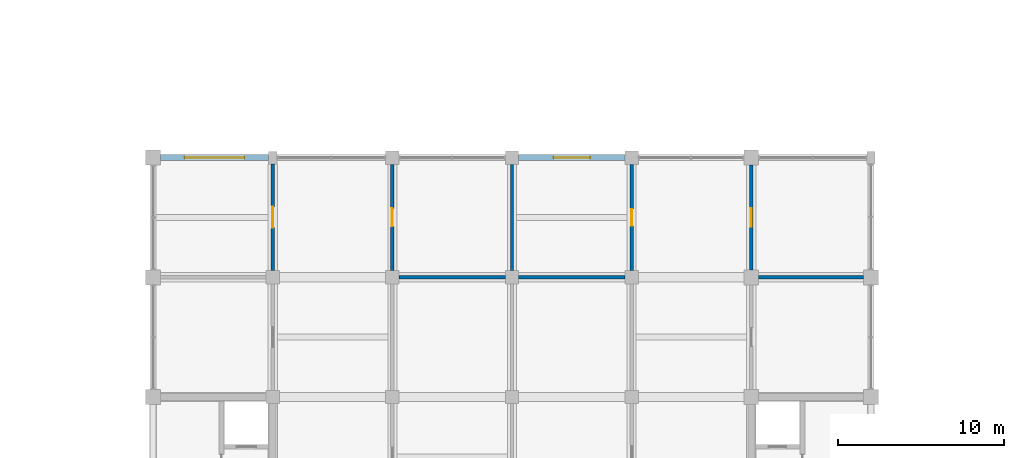
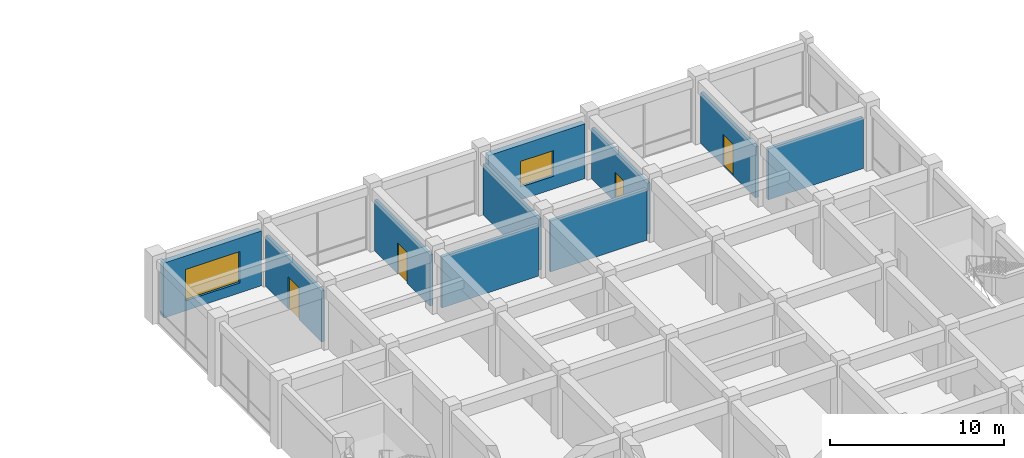
# One storey, part 62 of 75: 10 walls, 4 doors, 2 windows, 6 openings.
"""IFC4 building model written with IfcOpenShell, lengths in metres."""

from ifc_helpers import new_model, si_unit, direction, frame, frame_2d, origin, place, context, subcontext, project, spatial, rectangle, extrude, material, layer, layer_set, type_object, element, fill, save


model = new_model("IFC4")

# Units and contexts
model_context = context("Model", 3, precision=1e-05, world=origin(), true_north=direction((0.0, 1.0)))
body_context = subcontext(model_context, "Body", "Model", "MODEL_VIEW")
ifc_project = project(units=[si_unit("LENGTHUNIT", "METRE"), si_unit("AREAUNIT", "SQUARE_METRE"), si_unit("VOLUMEUNIT", "CUBIC_METRE"), si_unit("PLANEANGLEUNIT", "RADIAN"), si_unit("MASSUNIT", "GRAM", prefix="KILO")], contexts=[model_context])

# Site, building, storey
site_placement = place(None, origin())
site = spatial("IfcSite", under=ifc_project, at=site_placement, CompositionType="ELEMENT")
building_placement = place(site_placement, origin())
building = spatial("IfcBuilding", under=site, at=building_placement, Name="Cendaluz Park School", CompositionType="ELEMENT")
storey_placement = place(building_placement, frame((0.0, 0.0, 4.800048828125)))
storey = spatial("IfcBuildingStorey", under=building, at=storey_placement, Name="L01", CompositionType="ELEMENT", Elevation=4.800048828125)

# Wall, opening, door
ifc_material_1 = material(Name="Gypsum Plasterboard on Cold-Formed Stud", Category="gypsum")
ifc_layer_1 = layer(ifc_material_1, 0.199951171875)
ifc_layer_set_1 = layer_set([ifc_layer_1], Name="Gypsum Plasterboard on Cold-Formed Stud")
wall_type_1 = type_object("IfcWallType", Name="W-AC20", PredefinedType="PARTITIONING", material=ifc_layer_set_1)
wall_1_placement = place(storey_placement, frame((72.0, 65.199951171875, 0.0), z_axis=(0.0, 0.0, 1.0), x_axis=(0.0, 1.0, 0.0)))
wall_1 = element("IfcWall", 1, at=wall_1_placement, inside=storey, type_object=wall_type_1, Name="WL-FB-BV5", PredefinedType="PARTITIONING", context=body_context, shape_type="SweptSolid", body=[
    extrude(rectangle(XDim=6.425048828125, YDim=0.199951171875, at=frame_2d((3.21240234375, 0.0))), origin(), (0.0, 0.0, 1.0), 3.579833984375),
])
opening_1_placement = place(wall_1_placement, frame((2.592529296875, 0.0, 0.0)))
opening_1 = element("IfcOpeningElement", 2, at=opening_1_placement, cuts=wall_1, Name="Opening DCL-09", PredefinedType="OPENING", context=body_context, shape_type="SweptSolid", body=[
    extrude(rectangle(XDim=1.239990234375, YDim=2.260009765625, at=frame_2d((0.6201171875, 1.1298828125))), frame((0.0, 0.112060546875, 0.0), z_axis=(0.0, -1.0, 0.0), x_axis=(1.0, 0.0, 0.0)), (0.0, 0.0, 1.0), 0.223876953125),
])
ifc_material_2 = material(Name="Solid Core Hardwood", Category="wood")
door_type_1 = type_object("IfcDoorType", Name="DCL-09", OperationType="NOTDEFINED", PredefinedType="DOOR", material=ifc_material_2)
door_1_placement = place(opening_1_placement, origin())
door_1 = element("IfcDoor", 3, at=door_1_placement, inside=storey, type_object=door_type_1, Name="D-L01-061", OperationType="SINGLE_SWING_LEFT", OverallHeight=2.260009765625, OverallWidth=1.239990234375, PredefinedType="DOOR", context=body_context, shape_type="SweptSolid", body=[
    extrude(rectangle(XDim=1.239990234375, YDim=2.260009765625, at=frame_2d((0.6201171875, 1.1298828125))), frame((0.0, 0.02490234375, 0.0), z_axis=(0.0, -1.0, 0.0), x_axis=(1.0, 0.0, 0.0)), (0.0, 0.0, 1.0), 0.050048828125),
])
fill(opening_1, door_1)

# Wall
wall_2_placement = place(storey_placement, frame((79.60009765625, 64.800048828125, 0.0), z_axis=(0.0, 0.0, 1.0), x_axis=(1.0, 0.0, 0.0)))
element("IfcWall", 4, at=wall_2_placement, inside=storey, type_object=wall_type_1, Name="WL-FB-BX5", PredefinedType="PARTITIONING", context=body_context, shape_type="SweptSolid", body=[
    extrude(rectangle(XDim=6.39990234375, YDim=0.199951171875, at=frame_2d((3.199951171875, 0.0))), origin(), (0.0, 0.0, 1.0), 3.579833984375),
])

# Wall, opening, door
wall_3_placement = place(storey_placement, frame((79.199951171875, 65.199951171875, 0.0), z_axis=(0.0, 0.0, 1.0), x_axis=(0.0, 1.0, 0.0)))
wall_3 = element("IfcWall", 5, at=wall_3_placement, inside=storey, type_object=wall_type_1, Name="WL-FB-BX8", PredefinedType="PARTITIONING", context=body_context, shape_type="SweptSolid", body=[
    extrude(rectangle(XDim=6.400146484375, YDim=0.199951171875, at=frame_2d((3.2001953125, 0.0))), origin(), (0.0, 0.0, 1.0), 3.579833984375),
])
opening_2_placement = place(wall_3_placement, frame((2.659912109375, 0.0, 0.0)))
opening_2 = element("IfcOpeningElement", 6, at=opening_2_placement, cuts=wall_3, Name="Opening DCL-05", PredefinedType="OPENING", context=body_context, shape_type="SweptSolid", body=[
    extrude(rectangle(XDim=1.080078125, YDim=2.179931640625, at=frame_2d((0.5400390625, 1.08984375))), frame((0.0, 0.112060546875, 0.0), z_axis=(0.0, -1.0, 0.0), x_axis=(1.0, 0.0, 0.0)), (0.0, 0.0, 1.0), 0.223876953125),
])
door_type_2 = type_object("IfcDoorType", Name="DCL-05", OperationType="NOTDEFINED", PredefinedType="DOOR", material=ifc_material_2)
door_2_placement = place(opening_2_placement, frame((1.080078125, 0.0, 0.0), z_axis=(0.0, 0.0, 1.0), x_axis=(-1.0, 0.0, 0.0)))
door_2 = element("IfcDoor", 7, at=door_2_placement, inside=storey, type_object=door_type_2, Name="D-L01-067", OperationType="SINGLE_SWING_LEFT", OverallHeight=2.179931640625, OverallWidth=1.080078125, PredefinedType="DOOR", context=body_context, shape_type="SweptSolid", body=[
    extrude(rectangle(XDim=1.080078125, YDim=2.179931640625, at=frame_2d((0.5400390625, 1.08984375))), frame((0.0, 0.02490234375, 0.0), z_axis=(0.0, -1.0, 0.0), x_axis=(1.0, 0.0, 0.0)), (0.0, 0.0, 1.0), 0.050048828125),
])
fill(opening_2, door_2)

# Walls
wall_4_placement = place(storey_placement, frame((86.39990234375, 65.199951171875, 0.0), z_axis=(0.0, 0.0, 1.0), x_axis=(0.0, 1.0, 0.0)))
element("IfcWall", 8, at=wall_4_placement, inside=storey, type_object=wall_type_1, Name="WL-FB-BX9", PredefinedType="PARTITIONING", context=body_context, shape_type="SweptSolid", body=[
    extrude(rectangle(XDim=6.400146484375, YDim=0.199951171875, at=frame_2d((3.2001953125, 0.0))), origin(), (0.0, 0.0, 1.0), 3.579833984375),
])
wall_5_placement = place(storey_placement, frame((86.800048828125, 64.800048828125, 0.0), z_axis=(0.0, 0.0, 1.0), x_axis=(1.0, 0.0, 0.0)))
element("IfcWall", 9, at=wall_5_placement, inside=storey, type_object=wall_type_1, Name="WL-FB-BZ3", PredefinedType="PARTITIONING", context=body_context, shape_type="SweptSolid", body=[
    extrude(rectangle(XDim=6.39990234375, YDim=0.199951171875, at=frame_2d((3.199951171875, 0.0))), origin(), (0.0, 0.0, 1.0), 3.579833984375),
])

# Wall, opening, door
wall_6_placement = place(storey_placement, frame((93.60009765625, 65.199951171875, 0.0), z_axis=(0.0, 0.0, 1.0), x_axis=(0.0, 1.0, 0.0)))
wall_6 = element("IfcWall", 10, at=wall_6_placement, inside=storey, type_object=wall_type_1, Name="WL-FB-BZ5", PredefinedType="PARTITIONING", context=body_context, shape_type="SweptSolid", body=[
    extrude(rectangle(XDim=6.400146484375, YDim=0.199951171875, at=frame_2d((3.2001953125, 0.0))), origin(), (0.0, 0.0, 1.0), 3.579833984375),
])
opening_3_placement = place(wall_6_placement, frame((2.699951171875, 0.0, 0.0)))
opening_3 = element("IfcOpeningElement", 11, at=opening_3_placement, cuts=wall_6, Name="Opening DCL-01", PredefinedType="OPENING", context=body_context, shape_type="SweptSolid", body=[
    extrude(rectangle(XDim=1.0, YDim=2.10009765625, at=frame_2d((0.5, 1.050048828125))), frame((0.0, 0.112060546875, 0.0), z_axis=(0.0, -1.0, 0.0), x_axis=(1.0, 0.0, 0.0)), (0.0, 0.0, 1.0), 0.223876953125),
])
door_type_3 = type_object("IfcDoorType", Name="DCL-01", OperationType="NOTDEFINED", PredefinedType="DOOR", material=ifc_material_2)
door_3_placement = place(opening_3_placement, origin())
door_3 = element("IfcDoor", 12, at=door_3_placement, inside=storey, type_object=door_type_3, Name="D-L01-073", OperationType="SINGLE_SWING_LEFT", OverallHeight=2.10009765625, OverallWidth=1.0, PredefinedType="DOOR", context=body_context, shape_type="SweptSolid", body=[
    extrude(rectangle(XDim=1.0, YDim=2.10009765625, at=frame_2d((0.5, 1.050048828125))), frame((0.0, 0.02490234375, 0.0), z_axis=(0.0, -1.0, 0.0), x_axis=(1.0, 0.0, 0.0)), (0.0, 0.0, 1.0), 0.050048828125),
])
fill(opening_3, door_3)

# Wall
wall_7_placement = place(storey_placement, frame((101.25, 64.800048828125, 0.0), z_axis=(0.0, 0.0, 1.0), x_axis=(1.0, 0.0, 0.0)))
element("IfcWall", 13, at=wall_7_placement, inside=storey, type_object=wall_type_1, Name="WL-FB-CA1", PredefinedType="PARTITIONING", context=body_context, shape_type="SweptSolid", body=[
    extrude(rectangle(XDim=6.300048828125, YDim=0.199951171875, at=frame_2d((3.14990234375, 0.0))), origin(), (0.0, 0.0, 1.0), 3.579833984375),
])

# Wall, opening, door
wall_8_placement = place(storey_placement, frame((100.800048828125, 65.25, 0.0), z_axis=(0.0, 0.0, 1.0), x_axis=(0.0, 1.0, 0.0)))
wall_8 = element("IfcWall", 14, at=wall_8_placement, inside=storey, type_object=wall_type_1, Name="WL-FB-CA3", PredefinedType="PARTITIONING", context=body_context, shape_type="SweptSolid", body=[
    extrude(rectangle(XDim=6.300048828125, YDim=0.199951171875, at=frame_2d((3.14990234375, 0.0))), origin(), (0.0, 0.0, 1.0), 3.579833984375),
])
opening_4_placement = place(wall_8_placement, frame((2.590087890625, 0.0, 0.0)))
opening_4 = element("IfcOpeningElement", 15, at=opening_4_placement, cuts=wall_8, Name="Opening DCL-06", PredefinedType="OPENING", context=body_context, shape_type="SweptSolid", body=[
    extrude(rectangle(XDim=1.1201171875, YDim=2.199951171875, at=frame_2d((0.56005859375, 1.10009765625))), frame((0.0, 0.112060546875, 0.0), z_axis=(0.0, -1.0, 0.0), x_axis=(1.0, 0.0, 0.0)), (0.0, 0.0, 1.0), 0.223876953125),
])
door_type_4 = type_object("IfcDoorType", Name="DCL-06", OperationType="NOTDEFINED", PredefinedType="DOOR", material=ifc_material_2)
door_4_placement = place(opening_4_placement, frame((1.1201171875, 0.0, 0.0), z_axis=(0.0, 0.0, 1.0), x_axis=(-1.0, 0.0, 0.0)))
door_4 = element("IfcDoor", 16, at=door_4_placement, inside=storey, type_object=door_type_4, Name="D-L01-078", OperationType="SINGLE_SWING_RIGHT", OverallHeight=2.199951171875, OverallWidth=1.1201171875, PredefinedType="DOOR", context=body_context, shape_type="SweptSolid", body=[
    extrude(rectangle(XDim=1.1201171875, YDim=2.199951171875, at=frame_2d((0.56005859375, 1.10009765625))), frame((0.0, 0.02490234375, 0.0), z_axis=(0.0, -1.0, 0.0), x_axis=(1.0, 0.0, 0.0)), (0.0, 0.0, 1.0), 0.050048828125),
])
fill(opening_4, door_4)

# Wall, opening, window
ifc_material_3 = material(Name="Concrete C40/50 precast", Category="concrete")
ifc_layer_2 = layer(ifc_material_3, 0.360107421875)
ifc_layer_set_2 = layer_set([ifc_layer_2], Name="Concrete C40/50 precast")
wall_type_2 = type_object("IfcWallType", Name="W-EX36", PredefinedType="SOLIDWALL", material=ifc_layer_set_2)
wall_9_placement = place(storey_placement, frame((65.25, 72.0, 0.0), z_axis=(0.0, 0.0, 1.0), x_axis=(1.0, 0.0, 0.0)))
wall_9 = element("IfcWall", 17, at=wall_9_placement, inside=storey, type_object=wall_type_2, Name="WL-FB-AB7", PredefinedType="SOLIDWALL", context=body_context, shape_type="SweptSolid", body=[
    extrude(rectangle(XDim=6.5, YDim=0.360107421875, at=frame_2d((3.25, 0.0))), origin(), (0.0, 0.0, 1.0), 3.849853515625),
])
opening_5_placement = place(wall_9_placement, frame((1.449951171875, 0.0, 0.699951171875)))
opening_5 = element("IfcOpeningElement", 18, at=opening_5_placement, cuts=wall_9, Name="Opening WN-26", PredefinedType="OPENING", context=body_context, shape_type="SweptSolid", body=[
    extrude(rectangle(XDim=3.60009765625, YDim=2.199951171875, at=frame_2d((1.800048828125, 1.10009765625))), frame((0.0, 0.192138671875, 0.0), z_axis=(0.0, -1.0, 0.0), x_axis=(1.0, 0.0, 0.0)), (0.0, 0.0, 1.0), 0.384033203125),
])
ifc_material_4 = material(Name="Tempered Low-E Double Glazing", Category="glass")
window_type_1 = type_object("IfcWindowType", Name="WN-26", PartitioningType="SINGLE_PANEL", PredefinedType="WINDOW", material=ifc_material_4)
window_1_placement = place(opening_5_placement, origin())
window_1 = element("IfcWindow", 19, at=window_1_placement, inside=storey, type_object=window_type_1, Name="WN-L01-018", OverallHeight=2.199951171875, OverallWidth=3.60009765625, PartitioningType="SINGLE_PANEL", PredefinedType="WINDOW", context=body_context, shape_type="SweptSolid", body=[
    extrude(rectangle(XDim=3.60009765625, YDim=2.199951171875, at=frame_2d((1.800048828125, 1.10009765625))), frame((0.0, 0.030029296875, 0.0), z_axis=(0.0, -1.0, 0.0), x_axis=(1.0, 0.0, 0.0)), (0.0, 0.0, 1.0), 0.06005859375),
])
fill(opening_5, window_1)

wall_10_placement = place(storey_placement, frame((86.800048828125, 72.0, 0.0), z_axis=(0.0, 0.0, 1.0), x_axis=(1.0, 0.0, 0.0)))
wall_10 = element("IfcWall", 20, at=wall_10_placement, inside=storey, type_object=wall_type_2, Name="WL-FB-AB9", PredefinedType="SOLIDWALL", context=body_context, shape_type="SweptSolid", body=[
    extrude(rectangle(XDim=6.39990234375, YDim=0.360107421875, at=frame_2d((3.199951171875, 0.0))), origin(), (0.0, 0.0, 1.0), 3.849853515625),
])
opening_6_placement = place(wall_10_placement, frame((2.10009765625, 0.0, 0.89990234375)))
opening_6 = element("IfcOpeningElement", 21, at=opening_6_placement, cuts=wall_10, Name="Opening WN-03", PredefinedType="OPENING", context=body_context, shape_type="SweptSolid", body=[
    extrude(rectangle(XDim=2.199951171875, YDim=1.800048828125, at=frame_2d((1.10009765625, 0.89990234375))), frame((0.0, 0.192138671875, 0.0), z_axis=(0.0, -1.0, 0.0), x_axis=(1.0, 0.0, 0.0)), (0.0, 0.0, 1.0), 0.384033203125),
])
window_type_2 = type_object("IfcWindowType", Name="WN-03", PartitioningType="SINGLE_PANEL", PredefinedType="WINDOW", material=ifc_material_4)
window_2_placement = place(opening_6_placement, origin())
window_2 = element("IfcWindow", 22, at=window_2_placement, inside=storey, type_object=window_type_2, Name="WN-L01-020", OverallHeight=1.800048828125, OverallWidth=2.199951171875, PartitioningType="SINGLE_PANEL", PredefinedType="WINDOW", context=body_context, shape_type="SweptSolid", body=[
    extrude(rectangle(XDim=2.199951171875, YDim=1.800048828125, at=frame_2d((1.10009765625, 0.89990234375))), frame((0.0, 0.030029296875, 0.0), z_axis=(0.0, -1.0, 0.0), x_axis=(1.0, 0.0, 0.0)), (0.0, 0.0, 1.0), 0.06005859375),
])
fill(opening_6, window_2)

save(model, "model.ifc")
